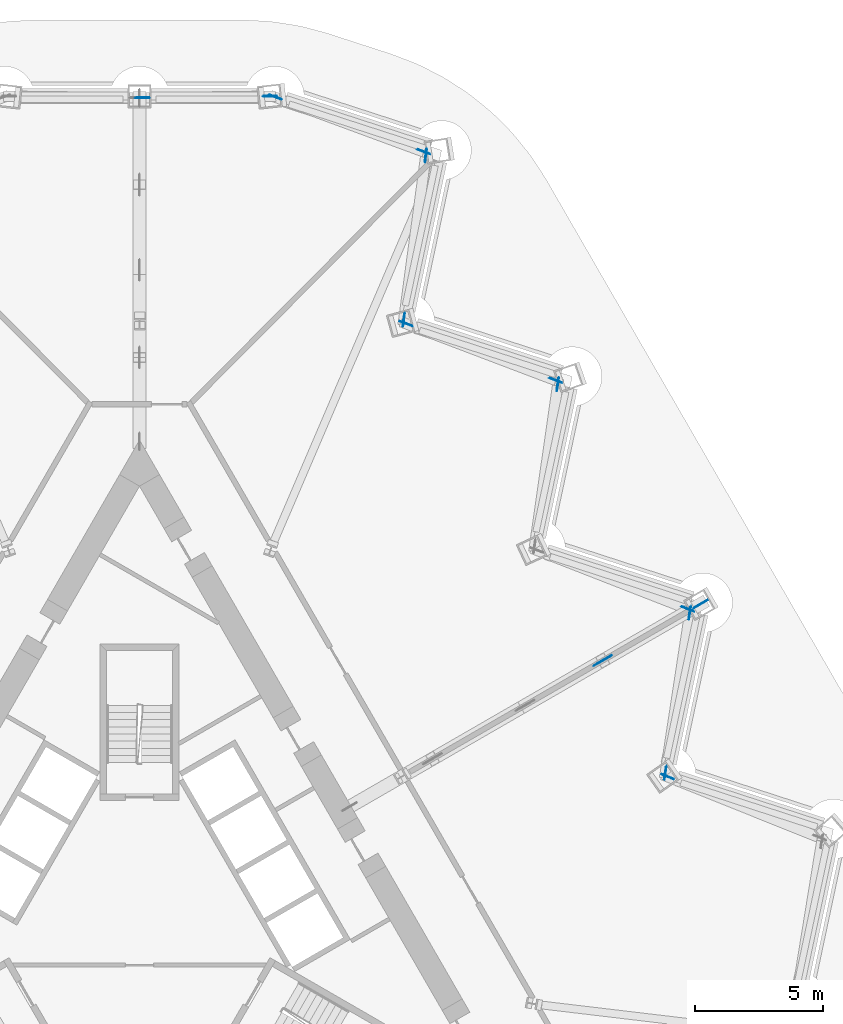
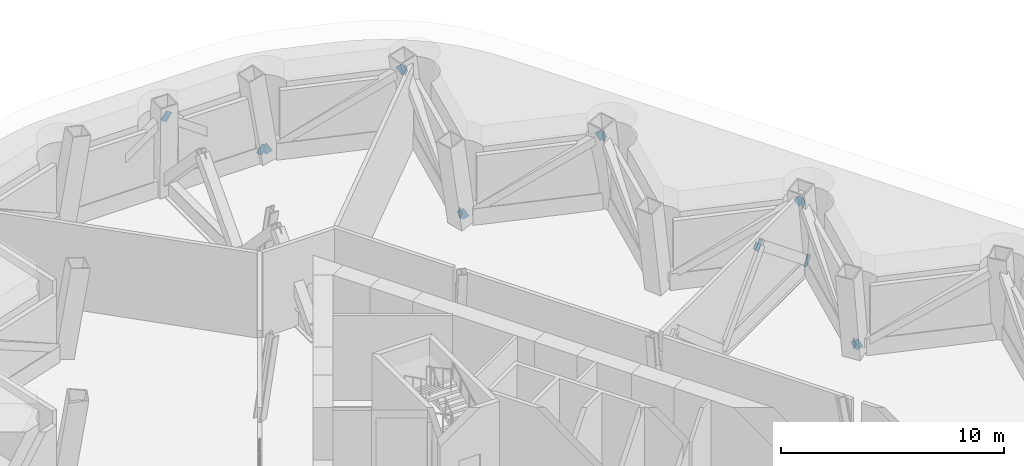
# One storey, part 11 of 13: 16 discrete accessories.
"""IFC4 building model written with IfcOpenShell, lengths in metres."""

import ifcopenshell
import ifcopenshell.guid

model = None  # the IFC model being written
_history = None  # IfcOwnerHistory: only IFC2X3 demands one
_inside = {}  # id of a spatial element -> (the spatial element, [elements in it])
_under = {}  # id of a project, library or spatial element -> (it, [spatial elements below it])
_declared = {}  # id of a project -> (the project, [libraries it declares])
_typed = {}  # id of a type object -> (the type object, [elements of that type])
_made_of = {}  # id of a material, layer set ... -> (it, [elements and type objects made of it])


def new_model(schema):
    """Start an empty IFC model of exactly this schema.

    Asked for "IFC4X3", IfcOpenShell would pick the latest addendum, in which some entities
    have other attributes; the version numbers below select the first issue.
    IFC2X3 requires an IfcOwnerHistory on every rooted entity: one is made here for all.
    """
    global model, _history
    if schema == "IFC4X3":
        model = ifcopenshell.file(schema_version=(4, 3, 0, 0))
    else:
        model = ifcopenshell.file(schema=schema)
    _inside.clear()
    _under.clear()
    _declared.clear()
    _typed.clear()
    _made_of.clear()
    _history = None
    if model.schema == "IFC2X3":
        org = make("IfcOrganization", Name="unknown")
        user = make(
            "IfcPersonAndOrganization",
            ThePerson=make("IfcPerson", FamilyName="unknown"),
            TheOrganization=org,
        )
        app = make(
            "IfcApplication",
            ApplicationDeveloper=org,
            Version="unknown",
            ApplicationFullName="unknown",
            ApplicationIdentifier="unknown",
        )
        _history = make(
            "IfcOwnerHistory",
            OwningUser=user,
            OwningApplication=app,
            ChangeAction="ADDED",
            CreationDate=0,
        )
    return model


def make(cls, **values):
    """One entity of the class cls with the attributes given. An attribute that is None is left unset."""
    return model.create_entity(
        cls, **{name: value for name, value in values.items() if value is not None}
    )


def rooted(cls, **values):
    """An entity with a GlobalId (a new one), such as an element, a storey or a relation."""
    return make(cls, GlobalId=ifcopenshell.guid.new(), OwnerHistory=_history, **values)


def si_unit(unit_type, name, prefix=None):
    """IfcSIUnit, for example si_unit("LENGTHUNIT", "METRE", prefix="MILLI")."""
    return make("IfcSIUnit", UnitType=unit_type, Prefix=prefix, Name=name)


def assignment(units):
    """IfcUnitAssignment: the units of a project."""
    return None if units is None else make("IfcUnitAssignment", Units=units)


def point(xyz):
    """IfcCartesianPoint."""
    return None if xyz is None else make("IfcCartesianPoint", Coordinates=xyz)


def direction(xyz):
    """IfcDirection."""
    return None if xyz is None else make("IfcDirection", DirectionRatios=xyz)


def frame(location, z_axis=None, x_axis=None):
    """IfcAxis2Placement3D, a coordinate frame: its origin and axes. An axis left out is left unset."""
    return make(
        "IfcAxis2Placement3D",
        Location=point(location),
        Axis=direction(z_axis),
        RefDirection=direction(x_axis),
    )


def frame_2d(location, x_axis=None):
    """IfcAxis2Placement2D, a coordinate frame in the plane: its origin and x axis."""
    return make(
        "IfcAxis2Placement2D", Location=point(location), RefDirection=direction(x_axis)
    )


def origin():
    """The frame at (0, 0, 0) with its axes left unset."""
    return frame((0.0, 0.0, 0.0))


def origin_2d():
    """The frame at (0, 0) in the plane with its x axis left unset."""
    return frame_2d((0.0, 0.0))


def place(relative_to, where):
    """IfcLocalPlacement: puts the frame where relative to a parent placement (None: the world)."""
    return make(
        "IfcLocalPlacement", PlacementRelTo=relative_to, RelativePlacement=where
    )


def context(
    kind, dimensions, precision=None, world=None, true_north=None, identifier=None
):
    """IfcGeometricRepresentationContext, for example the 3D "Model" context."""
    return make(
        "IfcGeometricRepresentationContext",
        ContextIdentifier=identifier,
        ContextType=kind,
        CoordinateSpaceDimension=dimensions,
        Precision=precision,
        WorldCoordinateSystem=world,
        TrueNorth=true_north,
    )


def subcontext(parent, identifier, kind, view, scale=None):
    """IfcGeometricRepresentationSubContext, for example "Body" below "Model"."""
    return make(
        "IfcGeometricRepresentationSubContext",
        ContextIdentifier=identifier,
        ContextType=kind,
        ParentContext=parent,
        TargetScale=scale,
        TargetView=view,
    )


def project(units=None, contexts=None):
    """IfcProject with its units and contexts."""
    return rooted(
        "IfcProject",
        Name="project",
        RepresentationContexts=contexts,
        UnitsInContext=assignment(units),
    )


def spatial(cls, under=None, at=None, **own):
    """A site, building, storey or space (cls), placed at a placement, below another one or the project."""
    s = rooted(cls, ObjectPlacement=at, **own)
    if under is not None:
        _under.setdefault(under.id(), (under, []))[1].append(s)
    return s


def profile(cls, at=None, kind="AREA", **sizes):
    """A parametric profile (cls). Its sizes go by their IFC names, for example OverallWidth=200.0."""
    return make(cls, ProfileType=kind, Position=at, **sizes)


def rectangle(**sizes):
    """IfcRectangleProfileDef."""
    return profile("IfcRectangleProfileDef", **sizes)


def extrude(swept, where, along, depth):
    """IfcExtrudedAreaSolid: the profile swept, set in the frame where, extruded along a direction by depth."""
    return make(
        "IfcExtrudedAreaSolid",
        SweptArea=swept,
        Position=where,
        ExtrudedDirection=direction(along),
        Depth=depth,
    )


def shape(context_of_items, identifier, shape_type, items):
    """IfcShapeRepresentation: the items that make up one representation, for example the "Body"."""
    return make(
        "IfcShapeRepresentation",
        ContextOfItems=context_of_items,
        RepresentationIdentifier=identifier,
        RepresentationType=shape_type,
        Items=items,
    )


def material(Name=None, Category=None):
    """IfcMaterial."""
    return make("IfcMaterial", Name=Name, Category=Category)


def material_profile(
    of_material, cross_section, Name=None, Category=None, Priority=None
):
    """IfcMaterialProfile: a cross section and its material."""
    return make(
        "IfcMaterialProfile",
        Name=Name,
        Material=of_material,
        Profile=cross_section,
        Priority=Priority,
        Category=Category,
    )


def profile_set(profiles, Name=None, composite=None):
    """IfcMaterialProfileSet."""
    return make(
        "IfcMaterialProfileSet",
        Name=Name,
        MaterialProfiles=profiles,
        CompositeProfile=composite,
    )


def made_of(thing, what):
    """Note that an element or type object is made of a material, layer set ...; save() writes the relation."""
    if what is not None:
        _made_of.setdefault(what.id(), (what, []))[1].append(thing)
    return thing


def type_object(cls, material=None, **own):
    """A type object (cls), such as IfcWallType, which elements share."""
    return made_of(rooted(cls, **own), material)


def element(
    cls,
    number,
    at=None,
    inside=None,
    cuts=None,
    type_object=None,
    material=None,
    context=None,
    identifier="Body",
    shape_type=None,
    held_by="IfcProductDefinitionShape",
    body=None,
    shapes=None,
    **own,
):
    """One element of the class cls, such as IfcWall. Its Tag is "e" and its number.

    at: its placement. inside: the storey or other place that contains it. cuts: it is an
    opening in that element (IfcRelVoidsElement). A single representation is given by context,
    identifier, shape_type and body (its items); several are given by shapes. held_by: the class
    of the entity that holds the representations. save() writes the other relations.
    """
    e = rooted(cls, Tag="e%d" % number, ObjectPlacement=at, **own)
    if body is not None:
        shapes = [shape(context, identifier, shape_type, body)]
    if shapes is not None:
        e.Representation = make(held_by, Representations=shapes)
    if inside is not None:
        _inside.setdefault(inside.id(), (inside, []))[1].append(e)
    if cuts is not None:
        rooted(
            "IfcRelVoidsElement", RelatingBuildingElement=cuts, RelatedOpeningElement=e
        )
    if type_object is not None:
        _typed.setdefault(type_object.id(), (type_object, []))[1].append(e)
    return made_of(e, material)


def aggregate(whole, parts):
    """IfcRelAggregates: a whole, such as a stair, and the parts it consists of."""
    return rooted("IfcRelAggregates", RelatingObject=whole, RelatedObjects=parts)


def save(model, path):
    """Write the relations noted so far, then the file.

    IfcRelAggregates (storeys below a building ...), IfcRelContainedInSpatialStructure (elements
    in a storey), IfcRelDefinesByType, IfcRelAssociatesMaterial and IfcRelDeclares: one each for
    every whole, place, type object, material and project.
    """
    for whole, parts in _under.values():
        aggregate(whole, parts)
    for where, things in _inside.values():
        rooted(
            "IfcRelContainedInSpatialStructure",
            RelatedElements=things,
            RelatingStructure=where,
        )
    for kind, things in _typed.values():
        rooted("IfcRelDefinesByType", RelatedObjects=things, RelatingType=kind)
    for what, things in _made_of.values():
        rooted("IfcRelAssociatesMaterial", RelatedObjects=things, RelatingMaterial=what)
    for by, libraries in _declared.values():
        rooted("IfcRelDeclares", RelatingContext=by, RelatedDefinitions=libraries)
    model.write(path)


model = new_model("IFC4")

# Units and contexts
model_context = context("Model", 3, precision=1e-05, world=origin(), true_north=direction((0.0, 1.0)))
body_context = subcontext(model_context, "Body", "Model", "MODEL_VIEW")
ifc_project = project(units=[si_unit("LENGTHUNIT", "METRE"), si_unit("AREAUNIT", "SQUARE_METRE"), si_unit("VOLUMEUNIT", "CUBIC_METRE"), si_unit("PLANEANGLEUNIT", "RADIAN"), si_unit("MASSUNIT", "GRAM", prefix="KILO")], contexts=[model_context])

# Site, building, storey
site_placement = place(None, origin())
site = spatial("IfcSite", under=ifc_project, at=site_placement, CompositionType="ELEMENT")
building_placement = place(site_placement, origin())
building = spatial("IfcBuilding", under=site, at=building_placement, Name="Cormorant Prow Tower", CompositionType="ELEMENT")
storey_placement = place(building_placement, frame((0.0, 0.0, 164.199951171875)))
storey = spatial("IfcBuildingStorey", under=building, at=storey_placement, Name="L34", CompositionType="ELEMENT", Elevation=164.199951171875)

# Discrete accessories
ifc_material_1 = material(Name="Structural steel ASTM A500 Gr C", Category="steel")
ifc_material_profile_1 = material_profile(ifc_material_1, rectangle(XDim=0.031982421875, YDim=0.506103515625, at=origin_2d()), Name="Gusset plate 32x506")
ifc_profile_set_1 = profile_set([ifc_material_profile_1], Name="Structural steel ASTM A500 Gr C")
discrete_accessory_type_1 = type_object("IfcDiscreteAccessoryType", Name="Gusset plate 32x506", PredefinedType="BRACKET", material=ifc_profile_set_1)
for number, where, z_axis, x_axis, name in (
    (1, (20.75732421875, 5.8515625, 0.597900390625), (-0.807579883595, 0.323589867002, -0.493056112005), (-0.371943439653, -0.928255394651, 0.0), "Gusset plate GP2 L34.ENE03.g0"),
    (2, (20.554443359375, 6.2060546875, 0.599365234375), (-0.131093621433, -0.857686991292, -0.49717953235), (0.988519881913, -0.15109084374, 0.0), "Gusset plate GP2 L34.ENE04.g0"),
):
    element("IfcDiscreteAccessory", number, at=place(storey_placement, frame(where, z_axis=z_axis, x_axis=x_axis)), inside=storey, type_object=discrete_accessory_type_1, Name=name, PredefinedType="BRACKET", context=body_context, shape_type="SweptSolid", body=[
        extrude(rectangle(XDim=0.031982421875, YDim=0.506103515625, at=origin_2d()), origin(), (0.0, 0.0, 1.0), 0.35009765625),
    ])
for number, where, z_axis, x_axis, name in (
    (3, (21.464111328125, 12.15771484375, 4.05078125), (0.131172063166, 0.857502476763, 0.497477026796), (-0.988501513385, 0.151210971942, 0.0), "Gusset plate GP2 L34.ENE04.g1"),
    (4, (21.260986328125, 12.509521484375, 4.05078125), (0.808065786673, -0.315410825195, 0.497539642399), (0.363610594907, 0.931551037395, 0.0), "Gusset plate GP2 L34.ENE05.g1"),
):
    element("IfcDiscreteAccessory", number, at=place(storey_placement, frame(where, z_axis=z_axis, x_axis=x_axis)), inside=storey, type_object=discrete_accessory_type_1, Name=name, PredefinedType="BRACKET", context=body_context, shape_type="SweptSolid", body=[
        extrude(rectangle(XDim=0.031982421875, YDim=0.506103515625, at=origin_2d()), origin(), (0.0, 0.0, 1.0), 0.349853515625),
    ])
for number, where, z_axis, x_axis, name in (
    (5, (16.31201171875, 21.084228515625, 4.05224609375), (0.123471979254, 0.861513527565, 0.49249275341), (-0.98988526978, 0.14187019656, 0.0), "Gusset plate GP2 L34.ENE06.g1"),
    (6, (10.546142578125, 23.543701171875, 0.6005859375), (-0.809137407889, 0.306216656951, -0.501525686441), (-0.353949282153, -0.93526461799, 0.0), "Gusset plate GP2 L34.ENE07.g0"),
):
    element("IfcDiscreteAccessory", number, at=place(storey_placement, frame(where, z_axis=z_axis, x_axis=x_axis)), inside=storey, type_object=discrete_accessory_type_1, Name=name, PredefinedType="BRACKET", context=body_context, shape_type="SweptSolid", body=[
        extrude(rectangle(XDim=0.031982421875, YDim=0.506103515625, at=origin_2d()), origin(), (0.0, 0.0, 1.0), 0.35009765625),
    ])
discrete_accessory_1_placement = place(storey_placement, frame((16.1064453125, 21.4345703125, 4.049560546875), z_axis=(0.808723234691, -0.307021762954, 0.501701471737), x_axis=(0.35492170218, 0.934896029151, 0.0)))
element("IfcDiscreteAccessory", 7, at=discrete_accessory_1_placement, inside=storey, type_object=discrete_accessory_type_1, Name="Gusset plate GP2 L34.ENE07.g1", PredefinedType="BRACKET", context=body_context, shape_type="SweptSolid", body=[
    extrude(rectangle(XDim=0.031982421875, YDim=0.506103515625, at=origin_2d()), origin(), (0.0, 0.0, 1.0), 0.349853515625),
])
for number, where, z_axis, x_axis, name in (
    (8, (10.33837890625, 23.89501953125, 0.5966796875), (-0.116442343598, -0.864601832706, -0.488778939296), (0.991052530976, -0.133472397317, 0.0), "Gusset plate GP2 L34.ENE08.g0"),
    (9, (11.159912109375, 30.0107421875, 4.053466796875), (0.115793902651, 0.864966501733, 0.488287541301), (-0.991157952717, 0.132687274315, 0.0), "Gusset plate GP2 L34.ENE08.g1"),
):
    element("IfcDiscreteAccessory", number, at=place(storey_placement, frame(where, z_axis=z_axis, x_axis=x_axis)), inside=storey, type_object=discrete_accessory_type_1, Name=name, PredefinedType="BRACKET", context=body_context, shape_type="SweptSolid", body=[
        extrude(rectangle(XDim=0.031982421875, YDim=0.506103515625, at=origin_2d()), origin(), (0.0, 0.0, 1.0), 0.35009765625),
    ])
for number, where, z_axis, x_axis, name in (
    (10, (5.4404296875, 32.3896484375, 0.601806640625), (-0.809477767926, 0.297971557676, -0.505923604954), (-0.345442913665, -0.938439765461, 0.0), "Gusset plate GP2 L34.ENE09.g0"),
    (11, (10.951904296875, 30.359619140625, 4.04833984375), (0.809477767926, -0.297971557676, 0.505923604954), (0.345442913665, 0.938439765461, 0.0), "Gusset plate GP2 L34.ENE09.g1"),
):
    element("IfcDiscreteAccessory", number, at=place(storey_placement, frame(where, z_axis=z_axis, x_axis=x_axis)), inside=storey, type_object=discrete_accessory_type_1, Name=name, PredefinedType="BRACKET", context=body_context, shape_type="SweptSolid", body=[
        extrude(rectangle(XDim=0.031982421875, YDim=0.506103515625, at=origin_2d()), origin(), (0.0, 0.0, 1.0), 0.349853515625),
    ])
discrete_accessory_2_placement = place(storey_placement, frame((4.954345703125, 32.47607421875, 0.62548828125), z_axis=(0.811283887229, 0.009766100104, -0.584570849095), x_axis=(-0.012036961087, 0.99992755316, 0.0)))
element("IfcDiscreteAccessory", 12, at=discrete_accessory_2_placement, inside=storey, type_object=discrete_accessory_type_1, Name="Gusset plate GP2 L34.N00.g0", PredefinedType="BRACKET", context=body_context, shape_type="SweptSolid", body=[
    extrude(rectangle(XDim=0.031982421875, YDim=0.506103515625, at=origin_2d()), origin(), (0.0, 0.0, 1.0), 0.35009765625),
])
discrete_accessory_3_placement = place(storey_placement, frame((0.2431640625, 32.41650390625, 4.0244140625), z_axis=(-0.810714138791, -0.009767640226, 0.585360724996), x_axis=(0.012047318415, -0.999927428426, 0.0)))
element("IfcDiscreteAccessory", 13, at=discrete_accessory_3_placement, inside=storey, type_object=discrete_accessory_type_1, Name="Gusset plate GP2 L34.N00.g1", PredefinedType="BRACKET", context=body_context, shape_type="SweptSolid", body=[
    extrude(rectangle(XDim=0.031982421875, YDim=0.506103515625, at=origin_2d()), origin(), (0.0, 0.0, 1.0), 0.349853515625),
])
ifc_material_2 = material(Name="Structural steel ASTM A500 Gr C", Category="steel")
ifc_material_profile_2 = material_profile(ifc_material_2, rectangle(XDim=0.031982421875, YDim=0.60791015625, at=origin_2d()), Name="Gusset plate 32x608")
ifc_profile_set_2 = profile_set([ifc_material_profile_2], Name="Structural steel ASTM A500 Gr C")
discrete_accessory_type_2 = type_object("IfcDiscreteAccessoryType", Name="Gusset plate 32x608", PredefinedType="BRACKET", material=ifc_profile_set_2)
discrete_accessory_4_placement = place(storey_placement, frame((17.907470703125, 10.3388671875, 3.933349609375), z_axis=(0.599203525098, 0.345989462688, 0.7219739796), x_axis=(-0.500042431503, 0.866000904559, 0.0)))
element("IfcDiscreteAccessory", 14, at=discrete_accessory_4_placement, inside=storey, type_object=discrete_accessory_type_2, Name="Gusset plate GP1 L34.11.3.g1", PredefinedType="BRACKET", context=body_context, shape_type="SweptSolid", body=[
    extrude(rectangle(XDim=0.031982421875, YDim=0.60791015625, at=origin_2d()), origin(), (0.0, 0.0, 1.0), 0.35009765625),
])
discrete_accessory_5_placement = place(storey_placement, frame((18.289306640625, 10.559326171875, 3.961181640625), z_axis=(-0.673350765048, -0.38895416863, 0.628739534238), x_axis=(0.500187988959, -0.865916841101, 0.0)))
element("IfcDiscreteAccessory", 15, at=discrete_accessory_5_placement, inside=storey, type_object=discrete_accessory_type_2, Name="Gusset plate GP1 L34.11.4.g0", PredefinedType="BRACKET", context=body_context, shape_type="SweptSolid", body=[
    extrude(rectangle(XDim=0.031982421875, YDim=0.60791015625, at=origin_2d()), origin(), (0.0, 0.0, 1.0), 0.350341796875),
])
discrete_accessory_6_placement = place(storey_placement, frame((21.794189453125, 12.5830078125, 0.688720703125), z_axis=(0.673828610239, 0.388532645862, -0.628488175802), x_axis=(-0.499515409713, 0.866305001405, 0.0)))
element("IfcDiscreteAccessory", 16, at=discrete_accessory_6_placement, inside=storey, type_object=discrete_accessory_type_2, Name="Gusset plate GP1 L34.11.4.g1", PredefinedType="BRACKET", context=body_context, shape_type="SweptSolid", body=[
    extrude(rectangle(XDim=0.031982421875, YDim=0.60791015625, at=origin_2d()), origin(), (0.0, 0.0, 1.0), 0.35009765625),
])

save(model, "model.ifc")
